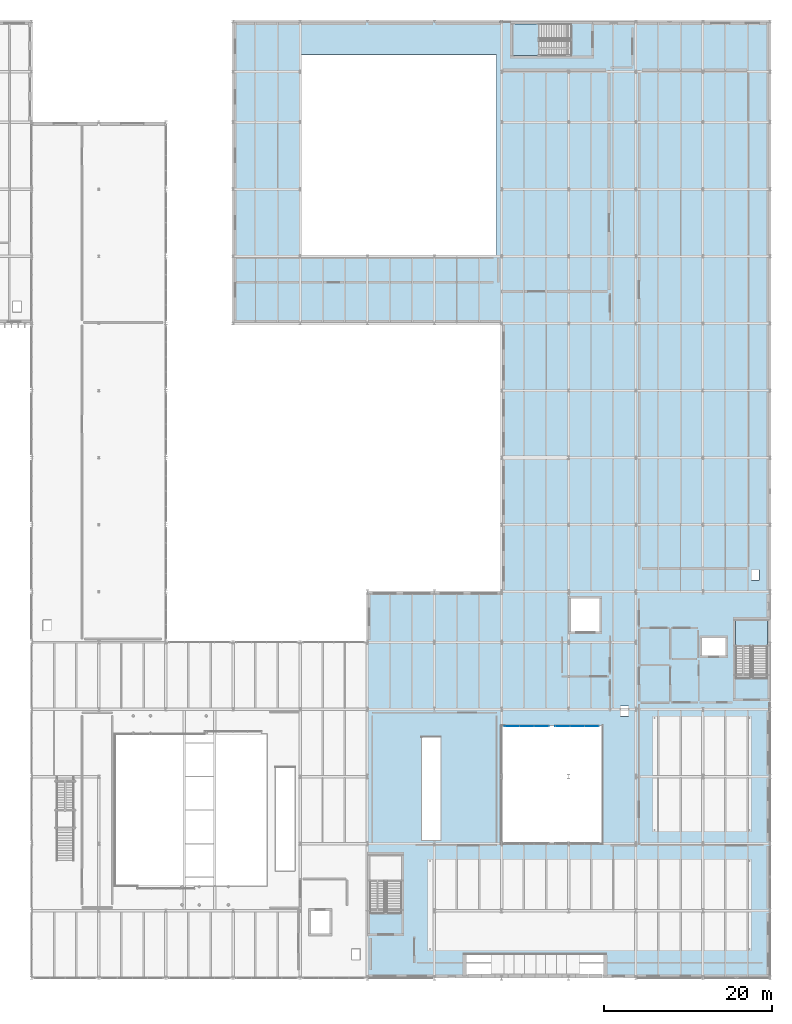
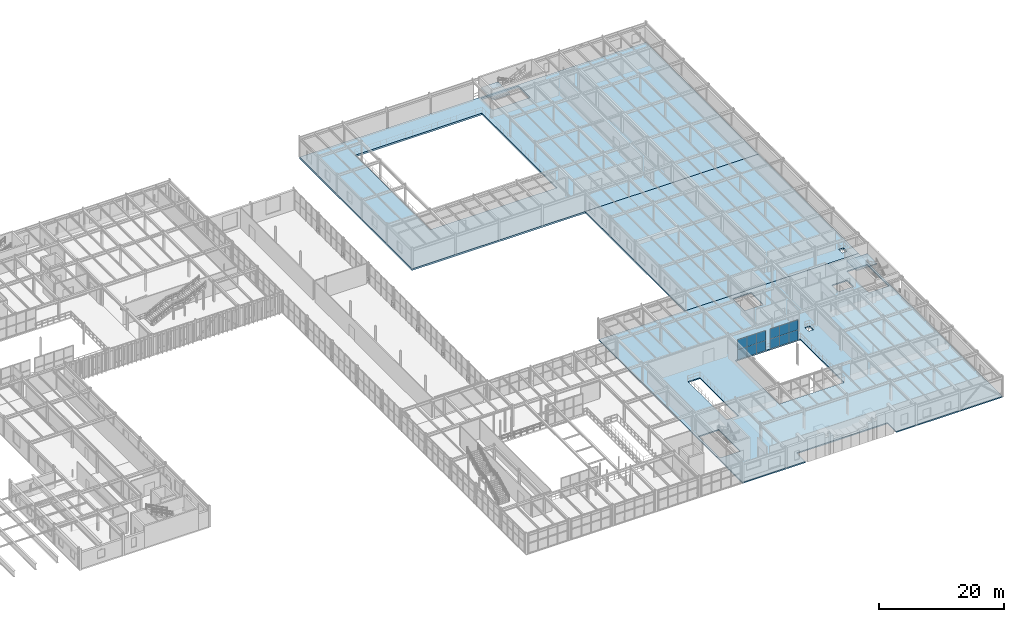
# One storey, part 73 of 122: 12 plates, 5 slabs, 4 elements without a shape of their own.
"""IFC4 building model written with IfcOpenShell, lengths in metres."""

from ifc_helpers import new_model, si_unit, direction, frame, origin, origin_2d, place, context, subcontext, project, spatial, polyline, rectangle, outline, extrude, material, layer, layer_set, type_object, element, aggregate, save


model = new_model("IFC4")

# Units and contexts
model_context = context("Model", 3, precision=1e-05, world=origin(), true_north=direction((0.0, 1.0)))
body_context = subcontext(model_context, "Body", "Model", "MODEL_VIEW")
ifc_project = project(units=[si_unit("LENGTHUNIT", "METRE"), si_unit("AREAUNIT", "SQUARE_METRE"), si_unit("VOLUMEUNIT", "CUBIC_METRE"), si_unit("PLANEANGLEUNIT", "RADIAN"), si_unit("MASSUNIT", "GRAM", prefix="KILO")], contexts=[model_context])

# Site, building, storey
site_placement = place(None, origin())
site = spatial("IfcSite", under=ifc_project, at=site_placement, CompositionType="ELEMENT")
building_placement = place(site_placement, origin())
building = spatial("IfcBuilding", under=site, at=building_placement, Name="Sundkrona Museum", CompositionType="ELEMENT")
storey_placement = place(building_placement, frame((0.0, 0.0, 5.39990234375)))
storey = spatial("IfcBuildingStorey", under=building, at=storey_placement, Name="L01", CompositionType="ELEMENT", Elevation=5.39990234375)

# Curtain wall, plates
ifc_material_1 = material(Name="Unitised Aluminium-Steel and Ceramic-Clad Curtain Walling", Category="steel")
curtain_wall_type = type_object("IfcCurtainWallType", Name="CW-SC-52x38", PredefinedType="NOTDEFINED", material=ifc_material_1)
curtain_wall_1_placement = place(storey_placement, origin())
curtain_wall_1 = element("IfcCurtainWall", 1, at=curtain_wall_1_placement, inside=storey, type_object=curtain_wall_type, Name="L01 Curtain Wall CW-L01-002", PredefinedType="NOTDEFINED")
ifc_material_2 = material(Name="Triple Low-E Vision Glazing 32 mm", Category="glass")
ifc_layer_1 = layer(ifc_material_2, 0.031982421875)
ifc_layer_set_1 = layer_set([ifc_layer_1], Name="Triple Low-E Vision Glazing 32 mm")
plate_type = type_object("IfcPlateType", Name="PN-GL-01", PredefinedType="CURTAIN_PANEL", material=ifc_layer_set_1)
plate_1_placement = place(storey_placement, frame((137.2666015625, 30.0, -0.00390625), z_axis=(0.0, 0.0, 1.0), x_axis=(1.0, 0.0, 0.0)))
plate_1 = element("IfcPlate", 2, at=plate_1_placement, type_object=plate_type, Name="CW-L01-002 Panel 01", PredefinedType="CURTAIN_PANEL", context=body_context, shape_type="SweptSolid", body=[
    extrude(rectangle(XDim=1.7333984375, YDim=0.031982421875, at=origin_2d()), origin(), (0.0, 0.0, 1.0), 1.964111328125),
])
plate_2_placement = place(storey_placement, frame((137.2666015625, 30.0, 1.9599609375), z_axis=(0.0, 0.0, 1.0), x_axis=(1.0, 0.0, 0.0)))
plate_2 = element("IfcPlate", 3, at=plate_2_placement, type_object=plate_type, Name="CW-L01-002 Panel 02", PredefinedType="CURTAIN_PANEL", context=body_context, shape_type="SweptSolid", body=[
    extrude(rectangle(XDim=1.7333984375, YDim=0.031982421875, at=origin_2d()), origin(), (0.0, 0.0, 1.0), 1.964111328125),
])
plate_3_placement = place(storey_placement, frame((139.0, 30.0, -0.00390625), z_axis=(0.0, 0.0, 1.0), x_axis=(1.0, 0.0, 0.0)))
plate_3 = element("IfcPlate", 4, at=plate_3_placement, type_object=plate_type, Name="CW-L01-002 Panel 03", PredefinedType="CURTAIN_PANEL", context=body_context, shape_type="SweptSolid", body=[
    extrude(rectangle(XDim=1.7333984375, YDim=0.031982421875, at=origin_2d()), origin(), (0.0, 0.0, 1.0), 1.964111328125),
])
plate_4_placement = place(storey_placement, frame((139.0, 30.0, 1.9599609375), z_axis=(0.0, 0.0, 1.0), x_axis=(1.0, 0.0, 0.0)))
plate_4 = element("IfcPlate", 5, at=plate_4_placement, type_object=plate_type, Name="CW-L01-002 Panel 04", PredefinedType="CURTAIN_PANEL", context=body_context, shape_type="SweptSolid", body=[
    extrude(rectangle(XDim=1.7333984375, YDim=0.031982421875, at=origin_2d()), origin(), (0.0, 0.0, 1.0), 1.964111328125),
])
plate_5_placement = place(storey_placement, frame((140.7333984375, 30.0, -0.00390625), z_axis=(0.0, 0.0, 1.0), x_axis=(1.0, 0.0, 0.0)))
plate_5 = element("IfcPlate", 6, at=plate_5_placement, type_object=plate_type, Name="CW-L01-002 Panel 05", PredefinedType="CURTAIN_PANEL", context=body_context, shape_type="SweptSolid", body=[
    extrude(rectangle(XDim=1.7333984375, YDim=0.031982421875, at=origin_2d()), origin(), (0.0, 0.0, 1.0), 1.964111328125),
])
plate_6_placement = place(storey_placement, frame((140.7333984375, 30.0, 1.9599609375), z_axis=(0.0, 0.0, 1.0), x_axis=(1.0, 0.0, 0.0)))
plate_6 = element("IfcPlate", 7, at=plate_6_placement, type_object=plate_type, Name="CW-L01-002 Panel 06", PredefinedType="CURTAIN_PANEL", context=body_context, shape_type="SweptSolid", body=[
    extrude(rectangle(XDim=1.7333984375, YDim=0.031982421875, at=origin_2d()), origin(), (0.0, 0.0, 1.0), 1.964111328125),
])
aggregate(curtain_wall_1, [plate_1, plate_2, plate_3, plate_4, plate_5, plate_6])

curtain_wall_2_placement = place(storey_placement, origin())
curtain_wall_2 = element("IfcCurtainWall", 8, at=curtain_wall_2_placement, inside=storey, type_object=curtain_wall_type, Name="L01 Curtain Wall CW-L01-004", PredefinedType="NOTDEFINED")
plate_7_placement = place(storey_placement, frame((143.2666015625, 30.0, -0.00390625), z_axis=(0.0, 0.0, 1.0), x_axis=(1.0, 0.0, 0.0)))
plate_7 = element("IfcPlate", 9, at=plate_7_placement, type_object=plate_type, Name="CW-L01-004 Panel 01", PredefinedType="CURTAIN_PANEL", context=body_context, shape_type="SweptSolid", body=[
    extrude(rectangle(XDim=1.7333984375, YDim=0.031982421875, at=origin_2d()), origin(), (0.0, 0.0, 1.0), 1.964111328125),
])
plate_8_placement = place(storey_placement, frame((143.2666015625, 30.0, 1.9599609375), z_axis=(0.0, 0.0, 1.0), x_axis=(1.0, 0.0, 0.0)))
plate_8 = element("IfcPlate", 10, at=plate_8_placement, type_object=plate_type, Name="CW-L01-004 Panel 02", PredefinedType="CURTAIN_PANEL", context=body_context, shape_type="SweptSolid", body=[
    extrude(rectangle(XDim=1.7333984375, YDim=0.031982421875, at=origin_2d()), origin(), (0.0, 0.0, 1.0), 1.964111328125),
])
plate_9_placement = place(storey_placement, frame((145.0, 30.0, -0.00390625), z_axis=(0.0, 0.0, 1.0), x_axis=(1.0, 0.0, 0.0)))
plate_9 = element("IfcPlate", 11, at=plate_9_placement, type_object=plate_type, Name="CW-L01-004 Panel 03", PredefinedType="CURTAIN_PANEL", context=body_context, shape_type="SweptSolid", body=[
    extrude(rectangle(XDim=1.7333984375, YDim=0.031982421875, at=origin_2d()), origin(), (0.0, 0.0, 1.0), 1.964111328125),
])
plate_10_placement = place(storey_placement, frame((145.0, 30.0, 1.9599609375), z_axis=(0.0, 0.0, 1.0), x_axis=(1.0, 0.0, 0.0)))
plate_10 = element("IfcPlate", 12, at=plate_10_placement, type_object=plate_type, Name="CW-L01-004 Panel 04", PredefinedType="CURTAIN_PANEL", context=body_context, shape_type="SweptSolid", body=[
    extrude(rectangle(XDim=1.7333984375, YDim=0.031982421875, at=origin_2d()), origin(), (0.0, 0.0, 1.0), 1.964111328125),
])
plate_11_placement = place(storey_placement, frame((146.7333984375, 30.0, -0.00390625), z_axis=(0.0, 0.0, 1.0), x_axis=(1.0, 0.0, 0.0)))
plate_11 = element("IfcPlate", 13, at=plate_11_placement, type_object=plate_type, Name="CW-L01-004 Panel 05", PredefinedType="CURTAIN_PANEL", context=body_context, shape_type="SweptSolid", body=[
    extrude(rectangle(XDim=1.7333984375, YDim=0.031982421875, at=origin_2d()), origin(), (0.0, 0.0, 1.0), 1.964111328125),
])
plate_12_placement = place(storey_placement, frame((146.7333984375, 30.0, 1.9599609375), z_axis=(0.0, 0.0, 1.0), x_axis=(1.0, 0.0, 0.0)))
plate_12 = element("IfcPlate", 14, at=plate_12_placement, type_object=plate_type, Name="CW-L01-004 Panel 06", PredefinedType="CURTAIN_PANEL", context=body_context, shape_type="SweptSolid", body=[
    extrude(rectangle(XDim=1.7333984375, YDim=0.031982421875, at=origin_2d()), origin(), (0.0, 0.0, 1.0), 1.964111328125),
])
aggregate(curtain_wall_2, [plate_7, plate_8, plate_9, plate_10, plate_11, plate_12])

# Slabs
ifc_material_3 = material(Name="Concrete C35/45", Category="concrete")
ifc_layer_2 = layer(ifc_material_3, 0.35009765625)
ifc_layer_set_2 = layer_set([ifc_layer_2], Name="Concrete C35/45")
slab_type_1 = type_object("IfcSlabType", Name="SL-AR-350", PredefinedType="FLOOR", material=ifc_layer_set_2)
slab_1_placement = place(storey_placement, frame((0.0, 0.0, -0.349853515625)))
element("IfcSlab", 15, at=slab_1_placement, inside=storey, type_object=slab_type_1, Name="L01 High-load compact archive floor slab 350 mm (SL-L01-V5M)", PredefinedType="FLOOR", context=body_context, shape_type="SweptSolid", body=[
    extrude(outline(polyline([(104.0, 78.0), (168.0, 78.0), (168.0, 114.0), (104.0, 114.0), (104.0, 78.0)]), holes=[polyline([(144.27490234375, 109.925048828125), (137.324951171875, 109.925048828125), (137.324951171875, 113.675048828125), (144.27490234375, 113.675048828125), (144.27490234375, 109.925048828125)]), polyline([(112.0, 110.0), (135.39990234375, 110.0), (135.39990234375, 86.0), (112.0, 86.0), (112.0, 110.0)])]), origin(), (0.0, 0.0, 1.0), 0.349853515625),
])
slab_2_placement = place(storey_placement, frame((0.0, 0.0, -0.349853515625)))
element("IfcSlab", 16, at=slab_2_placement, inside=storey, type_object=slab_type_1, Name="L01 High-load compact archive floor slab 350 mm (SL-L01-V5L)", PredefinedType="FLOOR", context=body_context, shape_type="SweptSolid", body=[
    extrude(outline(polyline([(136.0, 46.0), (168.0, 46.0), (168.0, 78.0), (136.0, 78.0), (136.0, 46.0)]), holes=[polyline([(166.699951171875, 47.39990234375), (165.800048828125, 47.39990234375), (165.800048828125, 48.60009765625), (166.699951171875, 48.60009765625), (166.699951171875, 47.39990234375)])]), origin(), (0.0, 0.0, 1.0), 0.349853515625),
])
ifc_layer_3 = layer(ifc_material_3, 0.239990234375)
ifc_layer_set_3 = layer_set([ifc_layer_3], Name="Concrete C35/45")
slab_type_2 = type_object("IfcSlabType", Name="SL-FL-240", PredefinedType="FLOOR", material=ifc_layer_set_3)
slab_3_placement = place(storey_placement, frame((0.0, 0.0, -0.239990234375)))
element("IfcSlab", 17, at=slab_3_placement, inside=storey, type_object=slab_type_2, Name="L01 Standard composite gallery floor slab 240 mm (SL-L01-V1)", PredefinedType="FLOOR", context=body_context, shape_type="SweptSolid", body=[
    extrude(outline(polyline([(120.0, 0.0), (131.60009765625, 0.0), (131.60009765625, 2.800048828125), (148.39990234375, 2.800048828125), (148.39990234375, 0.0), (168.0, 0.0), (168.0, 46.0), (120.0, 46.0), (120.0, 0.0)]), holes=[polyline([(163.925048828125, 35.72509765625), (163.925048828125, 42.675048828125), (167.675048828125, 42.675048828125), (167.675048828125, 35.72509765625), (163.925048828125, 35.72509765625)]), polyline([(159.89990234375, 40.5), (162.699951171875, 40.5), (162.699951171875, 38.39990234375), (159.89990234375, 38.39990234375), (159.89990234375, 40.5)]), polyline([(150.199951171875, 32.39990234375), (151.10009765625, 32.39990234375), (151.10009765625, 31.199951171875), (150.199951171875, 31.199951171875), (150.199951171875, 32.39990234375)]), polyline([(136.0, 30.0), (148.0, 30.0), (148.0, 16.0), (136.0, 16.0), (136.0, 30.0)]), polyline([(144.300048828125, 45.199951171875), (147.699951171875, 45.199951171875), (147.699951171875, 41.300048828125), (144.300048828125, 41.300048828125), (144.300048828125, 45.199951171875)]), polyline([(126.5, 28.679931640625), (128.699951171875, 28.679931640625), (128.699951171875, 16.419921875), (126.5, 16.419921875), (126.5, 28.679931640625)]), polyline([(124.074951171875, 14.675048828125), (124.074951171875, 7.72509765625), (120.324951171875, 7.72509765625), (120.324951171875, 14.675048828125), (124.074951171875, 14.675048828125)])]), origin(), (0.0, 0.0, 1.0), 0.239990234375),
])

# Stair, slab
stair_type = type_object("IfcStairType", Name="ST-DL-420", PredefinedType="HALF_TURN_STAIR", material=ifc_material_3)
stair_1_placement = place(storey_placement, origin())
stair_1 = element("IfcStair", 18, at=stair_1_placement, inside=storey, type_object=stair_type, Name="L01 Protected Stair Core ST-1", PredefinedType="HALF_TURN_STAIR")
ifc_layer_4 = layer(ifc_material_3, 0.219970703125)
ifc_layer_set_4 = layer_set([ifc_layer_4], Name="Concrete C35/45")
slab_type_3 = type_object("IfcSlabType", Name="SL-LN-220", PredefinedType="LANDING", material=ifc_layer_set_4)
slab_4_placement = place(storey_placement, frame((0.0, 0.0, 1.880126953125)))
slab_4 = element("IfcSlab", 19, at=slab_4_placement, type_object=slab_type_3, Name="L01 Protected Stair Core ST-1 Landing 1", PredefinedType="LANDING", context=body_context, shape_type="SweptSolid", body=[
    extrude(outline(polyline([(167.699951171875, 39.534912109375), (167.699951171875, 42.699951171875), (163.89990234375, 42.699951171875), (163.89990234375, 39.534912109375), (167.699951171875, 39.534912109375)])), origin(), (0.0, 0.0, 1.0), 0.219970703125),
])
aggregate(stair_1, [slab_4])

stair_2_placement = place(storey_placement, origin())
stair_2 = element("IfcStair", 20, at=stair_2_placement, inside=storey, type_object=stair_type, Name="L01 Protected Stair Core ST-5", PredefinedType="HALF_TURN_STAIR")
slab_5_placement = place(storey_placement, frame((0.0, 0.0, 1.880126953125)))
slab_5 = element("IfcSlab", 21, at=slab_5_placement, type_object=slab_type_3, Name="L01 Protected Stair Core ST-5 Landing 1", PredefinedType="LANDING", context=body_context, shape_type="SweptSolid", body=[
    extrude(outline(polyline([(140.465087890625, 113.699951171875), (137.300048828125, 113.699951171875), (137.300048828125, 109.89990234375), (140.465087890625, 109.89990234375), (140.465087890625, 113.699951171875)])), origin(), (0.0, 0.0, 1.0), 0.219970703125),
])
aggregate(stair_2, [slab_5])

save(model, "model.ifc")
